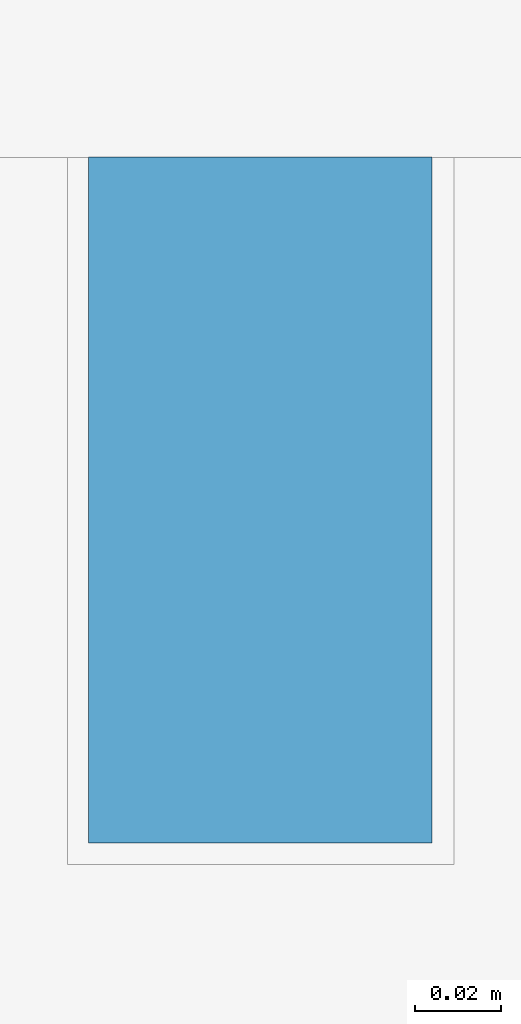
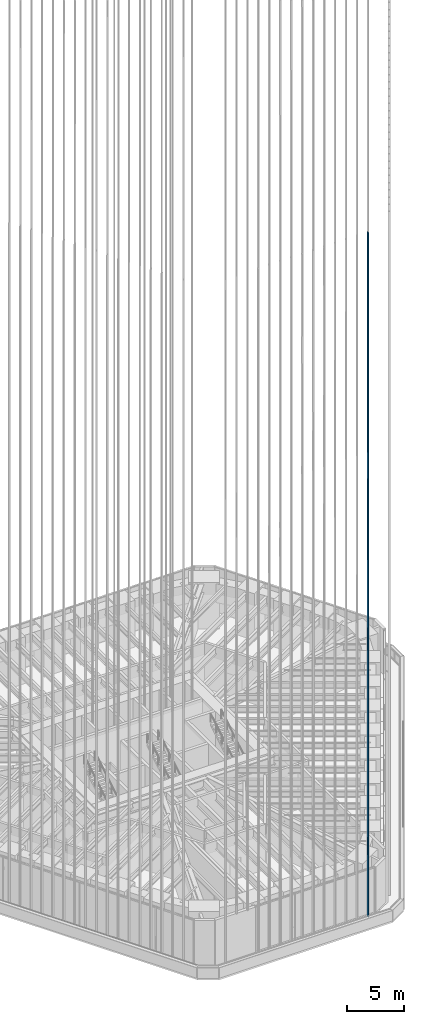
# One storey, part 75 of 228: 1 member, 1 element without a shape of its own.
"""IFC4 building model written with IfcOpenShell, lengths in metres."""

from ifc_helpers import new_model, si_unit, direction, frame, origin, origin_2d, place, context, subcontext, project, spatial, rectangle, extrude, material, material_profile, profile_set, type_object, element, aggregate, save


model = new_model("IFC4")

# Units and contexts
model_context = context("Model", 3, precision=1e-05, world=origin(), true_north=direction((0.0, 1.0)))
body_context = subcontext(model_context, "Body", "Model", "MODEL_VIEW")
ifc_project = project(units=[si_unit("LENGTHUNIT", "METRE"), si_unit("AREAUNIT", "SQUARE_METRE"), si_unit("VOLUMEUNIT", "CUBIC_METRE"), si_unit("PLANEANGLEUNIT", "RADIAN"), si_unit("MASSUNIT", "GRAM", prefix="KILO")], contexts=[model_context])

# Site, building, storey
site_placement = place(None, origin())
site = spatial("IfcSite", under=ifc_project, at=site_placement, CompositionType="ELEMENT")
building_placement = place(site_placement, origin())
building = spatial("IfcBuilding", under=site, at=building_placement, Name="Sandreach Pilgrim Tower", CompositionType="ELEMENT")
storey_placement = place(building_placement, frame((0.0, 0.0, 178.199951171875)))
storey = spatial("IfcBuildingStorey", under=building, at=storey_placement, Name="L44", CompositionType="ELEMENT", Elevation=178.199951171875)

# Curtain wall, member
ifc_material_1 = material(Name="Aluminium framed curtain wall", Category="aluminium")
curtain_wall_type = type_object("IfcCurtainWallType", Name="Upper hotel tower curtain wall", PredefinedType="NOTDEFINED", material=ifc_material_1)
curtain_wall_placement = place(storey_placement, origin())
curtain_wall = element("IfcCurtainWall", 1, at=curtain_wall_placement, inside=storey, type_object=curtain_wall_type, Name="CW-3 L44 SA", PredefinedType="NOTDEFINED")
ifc_material_2 = material(Name="Extruded terracotta on aluminium core", Category="masonry")
ifc_material_profile = material_profile(ifc_material_2, rectangle(XDim=0.080078125, YDim=0.159912109375, at=origin_2d()), Name="TBS 80X160")
ifc_profile_set = profile_set([ifc_material_profile], Name="Extruded terracotta on aluminium core")
member_type = type_object("IfcMemberType", Name="Terracotta baguette south", PredefinedType="USERDEFINED", material=ifc_profile_set)
member_placement = place(storey_placement, frame((7.207763671875, -26.905029296875, 0.0), z_axis=(0.0, 0.0, 1.0), x_axis=(-1.0, 0.0, 0.0)))
member = element("IfcMember", 2, at=member_placement, type_object=member_type, Name="Baguette Z3 S01", ObjectType="BAGUETTE", PredefinedType="USERDEFINED", context=body_context, shape_type="SweptSolid", body=[
    extrude(rectangle(XDim=0.080078125, YDim=0.159912109375, at=origin_2d()), origin(), (0.0, 0.0, 1.0), 73.239990234375),
])
aggregate(curtain_wall, [member])

save(model, "model.ifc")
